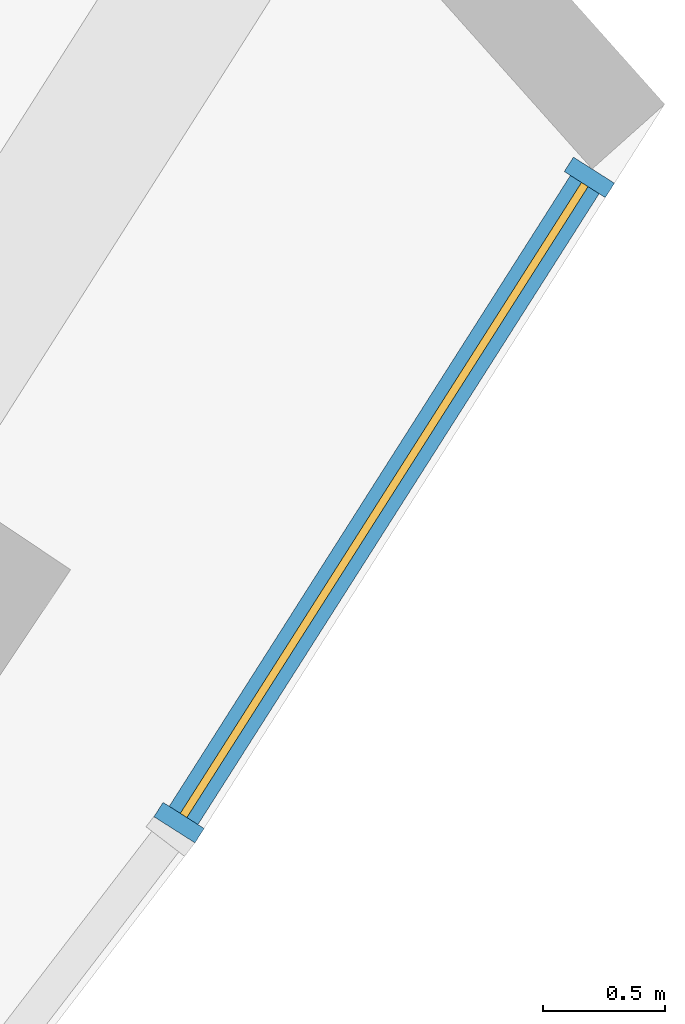
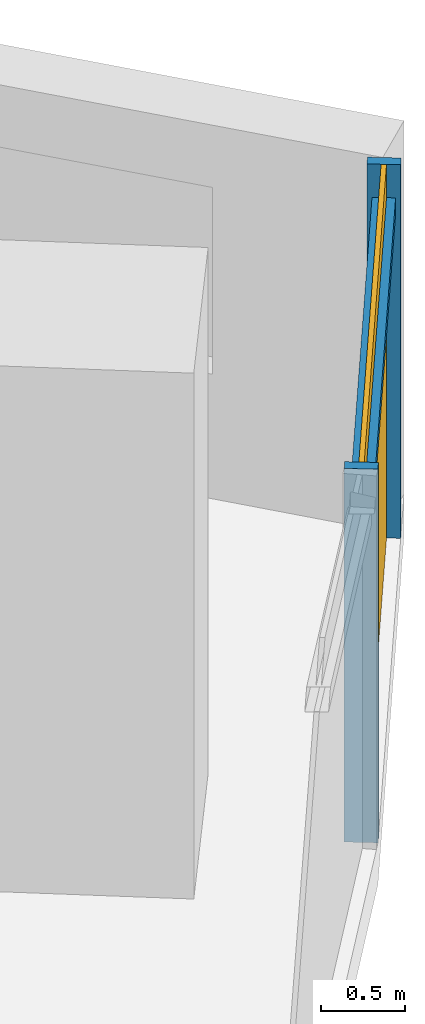
# One storey, part 23 of 31: 3 members, 1 curtain wall.
"""IFC4 building model written with IfcOpenShell, lengths in metres."""

from ifc_helpers import new_model, si_unit, direction, frame, origin, origin_2d, place, context, subcontext, project, spatial, rectangle, extrude, material, material_profile, profile_set, type_object, element, aggregate, save


model = new_model("IFC4")

# Units and contexts
model_context = context("Model", 3, precision=1e-05, world=origin(), true_north=direction((0.0, 1.0)))
body_context = subcontext(model_context, "Body", "Model", "MODEL_VIEW")
ifc_project = project(units=[si_unit("LENGTHUNIT", "METRE"), si_unit("AREAUNIT", "SQUARE_METRE"), si_unit("VOLUMEUNIT", "CUBIC_METRE"), si_unit("PLANEANGLEUNIT", "RADIAN"), si_unit("MASSUNIT", "GRAM", prefix="KILO")], contexts=[model_context])

# Member
ifc_material = material(Name="Aluminium 6063-T6 anodised", Category="aluminium")
ifc_material_profile_1 = material_profile(ifc_material, rectangle(XDim=0.199951171875, YDim=0.070068359375, at=origin_2d()))
ifc_profile_set_1 = profile_set([ifc_material_profile_1], Name="Aluminium 6063-T6 anodised")
member_type_1 = type_object("IfcMemberType", Name="Mullion 70 x 200 aluminium", PredefinedType="MULLION", material=ifc_profile_set_1)
site_placement = place(None, origin())
building_placement = place(site_placement, origin())
storey_placement = place(building_placement, frame((0.0, 0.0, 82.300048828125)))
member_1_placement = place(storey_placement, frame((66.160888671875, -44.16796875, 0.0), z_axis=(0.0, 0.0, 1.0), x_axis=(-0.84381442189, 0.536635091482, 0.0)))
member_1 = element("IfcMember", 1, at=member_1_placement, type_object=member_type_1, Name="e-cw1-L17-out16/M00", PredefinedType="MULLION", context=body_context, shape_type="SweptSolid", body=[
    extrude(rectangle(XDim=0.199951171875, YDim=0.070068359375, at=origin_2d()), origin(), (0.0, 0.0, 1.0), 2.699951171875),
])

member_2_placement = place(storey_placement, frame((67.848876953125, -41.513671875, 0.0), z_axis=(0.0, 0.0, 1.0), x_axis=(-0.84381442189, 0.536635091482, 0.0)))
member_2 = element("IfcMember", 2, at=member_2_placement, type_object=member_type_1, Name="e-cw1-L17-out16/M01", PredefinedType="MULLION", context=body_context, shape_type="SweptSolid", body=[
    extrude(rectangle(XDim=0.199951171875, YDim=0.070068359375, at=origin_2d()), origin(), (0.0, 0.0, 1.0), 2.699951171875),
])

ifc_material_profile_2 = material_profile(ifc_material, rectangle(XDim=0.139892578125, YDim=0.1201171875, at=origin_2d()))
ifc_profile_set_2 = profile_set([ifc_material_profile_2], Name="Aluminium 6063-T6 anodised")
member_type_2 = type_object("IfcMemberType", Name="Transom 120 x 140 aluminium", PredefinedType="USERDEFINED", material=ifc_profile_set_2)
member_3_placement = place(storey_placement, frame((66.1796875, -44.138427734375, 2.39990234375), z_axis=(0.536618644959, 0.843824881052, 0.0), x_axis=(-0.843824881052, 0.536618644959, 0.0)))
member_3 = element("IfcMember", 3, at=member_3_placement, type_object=member_type_2, Name="e-cw1-L17-out16/T00", ObjectType="TRANSOM", PredefinedType="USERDEFINED", context=body_context, shape_type="SweptSolid", body=[
    extrude(rectangle(XDim=0.139892578125, YDim=0.1201171875, at=origin_2d()), origin(), (0.0, 0.0, 1.0), 3.075439453125),
])

# Site, building, storey
site = spatial("IfcSite", under=ifc_project, at=site_placement, CompositionType="ELEMENT")
building = spatial("IfcBuilding", under=site, at=building_placement, Name="Qamariyya Broadcast Tower", CompositionType="ELEMENT")
storey = spatial("IfcBuildingStorey", under=building, at=storey_placement, Name="L17", CompositionType="ELEMENT", Elevation=82.300048828125)

# Curtain wall
curtain_wall_type = type_object("IfcCurtainWallType", Name="Unitised curtain wall, anodised aluminium", PredefinedType="NOTDEFINED", material=ifc_material)
curtain_wall_placement = place(storey_placement, origin())
curtain_wall = element("IfcCurtainWall", 4, at=curtain_wall_placement, inside=storey, type_object=curtain_wall_type, Name="e-cw1-L17-out16", PredefinedType="NOTDEFINED", context=body_context, shape_type="SweptSolid", body=[
    extrude(rectangle(XDim=3.07568359375, YDim=0.031982421875, at=origin_2d()), frame((67.0048828125, -42.8408203125, 0.0), x_axis=(0.536629833424, 0.8438177658, 0.0)), (0.0, 0.0, 1.0), 2.340087890625),
    extrude(rectangle(XDim=3.07568359375, YDim=0.031982421875, at=origin_2d()), frame((67.0048828125, -42.8408203125, 2.4599609375), x_axis=(0.536629833424, 0.8438177658, 0.0)), (0.0, 0.0, 1.0), 0.239990234375),
])

aggregate(curtain_wall, [member_1, member_2, member_3])

save(model, "model.ifc")
